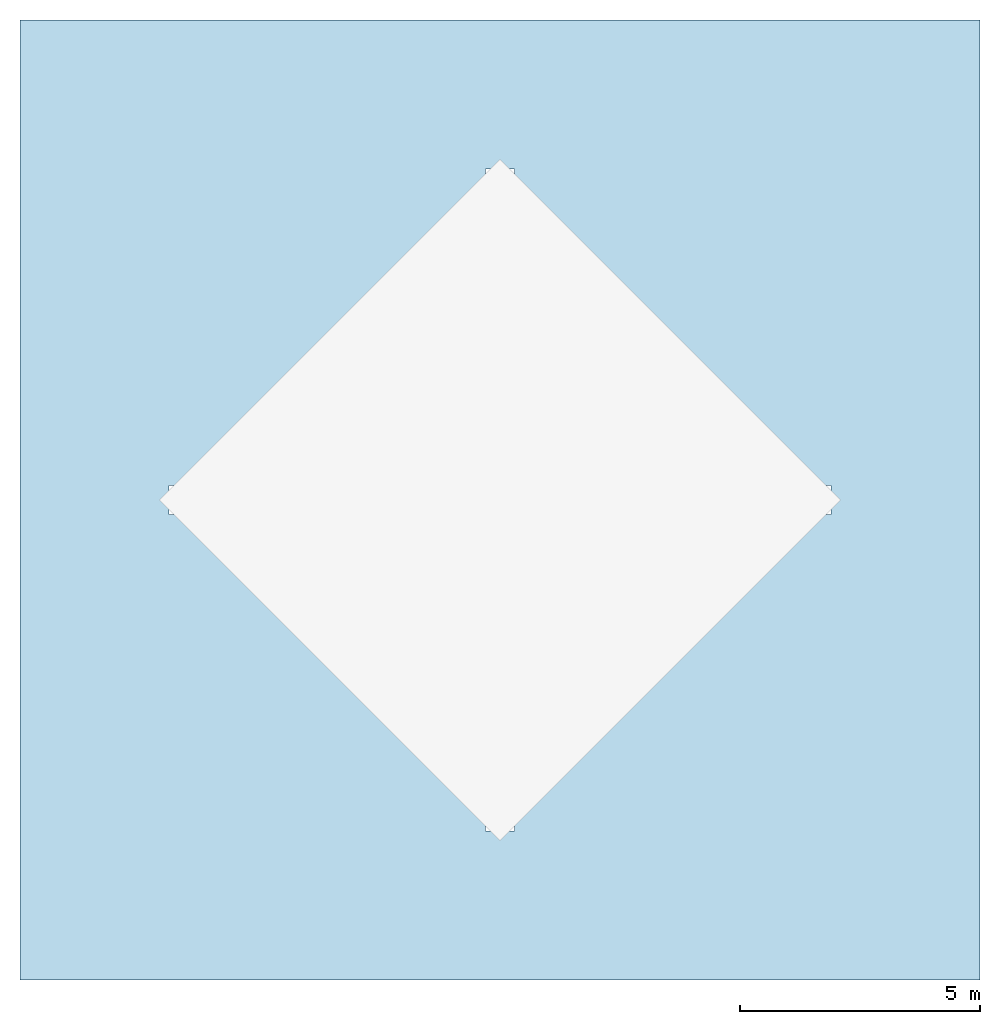
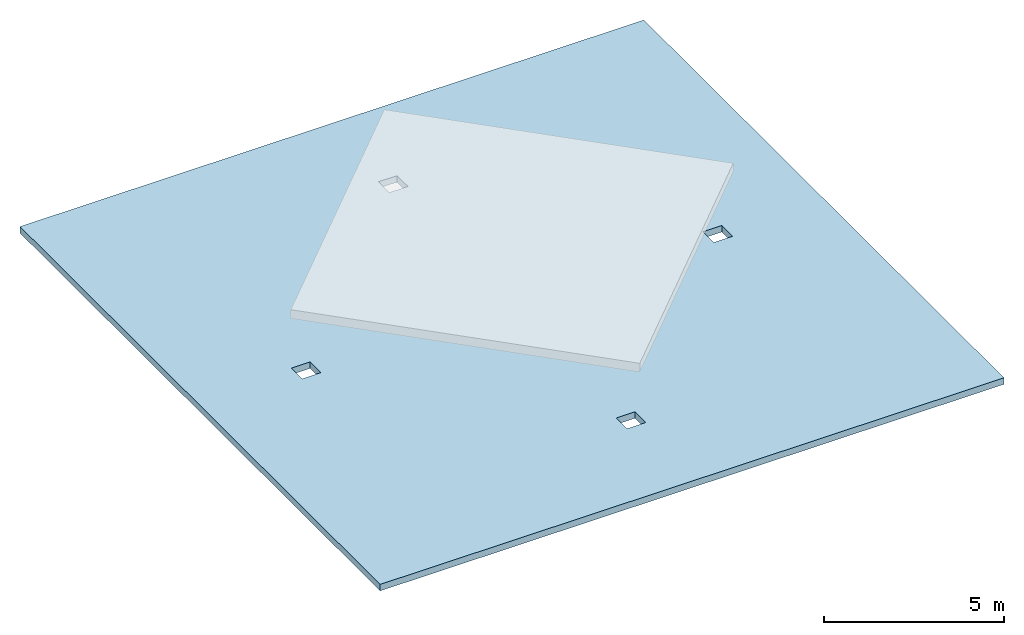
# One storey, part 1 of 2: 1 slab.
"""IFC4 building model written with IfcOpenShell, lengths in metres."""

from ifc_helpers import new_model, si_unit, direction, frame, origin, place, context, subcontext, project, spatial, polyline, outline, extrude, material, layer, layer_set, type_object, element, save


model = new_model("IFC4")

# Units and contexts
model_context = context("Model", 3, precision=1e-05, world=origin(), true_north=direction((0.0, 1.0)))
body_context = subcontext(model_context, "Body", "Model", "MODEL_VIEW")
ifc_project = project(units=[si_unit("LENGTHUNIT", "METRE"), si_unit("AREAUNIT", "SQUARE_METRE"), si_unit("VOLUMEUNIT", "CUBIC_METRE"), si_unit("PLANEANGLEUNIT", "RADIAN"), si_unit("MASSUNIT", "GRAM", prefix="KILO")], contexts=[model_context])

# Site, building, storey
site_placement = place(None, origin())
site = spatial("IfcSite", under=ifc_project, at=site_placement, CompositionType="ELEMENT")
building_placement = place(site_placement, origin())
building = spatial("IfcBuilding", under=site, at=building_placement, Name="Turquesa Mirador Hotel Tower", CompositionType="ELEMENT")
storey_placement = place(building_placement, frame((0.0, 0.0, 277.419921875)))
storey = spatial("IfcBuildingStorey", under=building, at=storey_placement, Name="ROOF", CompositionType="ELEMENT", Elevation=277.419921875)

# Slab
ifc_material = material(Name="Concrete C35/45", Category="concrete")
ifc_layer = layer(ifc_material, 0.219970703125)
ifc_layer_set = layer_set([ifc_layer], Name="HEAD-HOUSE ROOF SLAB 220")
slab_type = type_object("IfcSlabType", Name="HEAD-HOUSE ROOF SLAB 220", PredefinedType="ROOF", material=ifc_layer_set)
slab_placement = place(storey_placement, frame((0.0, 0.0, -0.219970703125)))
element("IfcSlab", 1, at=slab_placement, inside=storey, type_object=slab_type, Name="Head-house roof", PredefinedType="ROOF", context=body_context, shape_type="SweptSolid", body=[
    extrude(outline(polyline([(45.0, 35.0), (65.0, 35.0), (65.0, 55.0), (45.0, 55.0), (45.0, 35.0)]), holes=[polyline([(61.300048828125, 44.699951171875), (61.89990234375, 44.699951171875), (61.89990234375, 45.300048828125), (61.300048828125, 45.300048828125), (61.300048828125, 44.699951171875)]), polyline([(54.699951171875, 51.300048828125), (55.300048828125, 51.300048828125), (55.300048828125, 51.89990234375), (54.699951171875, 51.89990234375), (54.699951171875, 51.300048828125)]), polyline([(48.10009765625, 44.699951171875), (48.699951171875, 44.699951171875), (48.699951171875, 45.300048828125), (48.10009765625, 45.300048828125), (48.10009765625, 44.699951171875)]), polyline([(54.699951171875, 38.10009765625), (55.300048828125, 38.10009765625), (55.300048828125, 38.699951171875), (54.699951171875, 38.699951171875), (54.699951171875, 38.10009765625)])]), origin(), (0.0, 0.0, 1.0), 0.219970703125),
])

save(model, "model.ifc")
